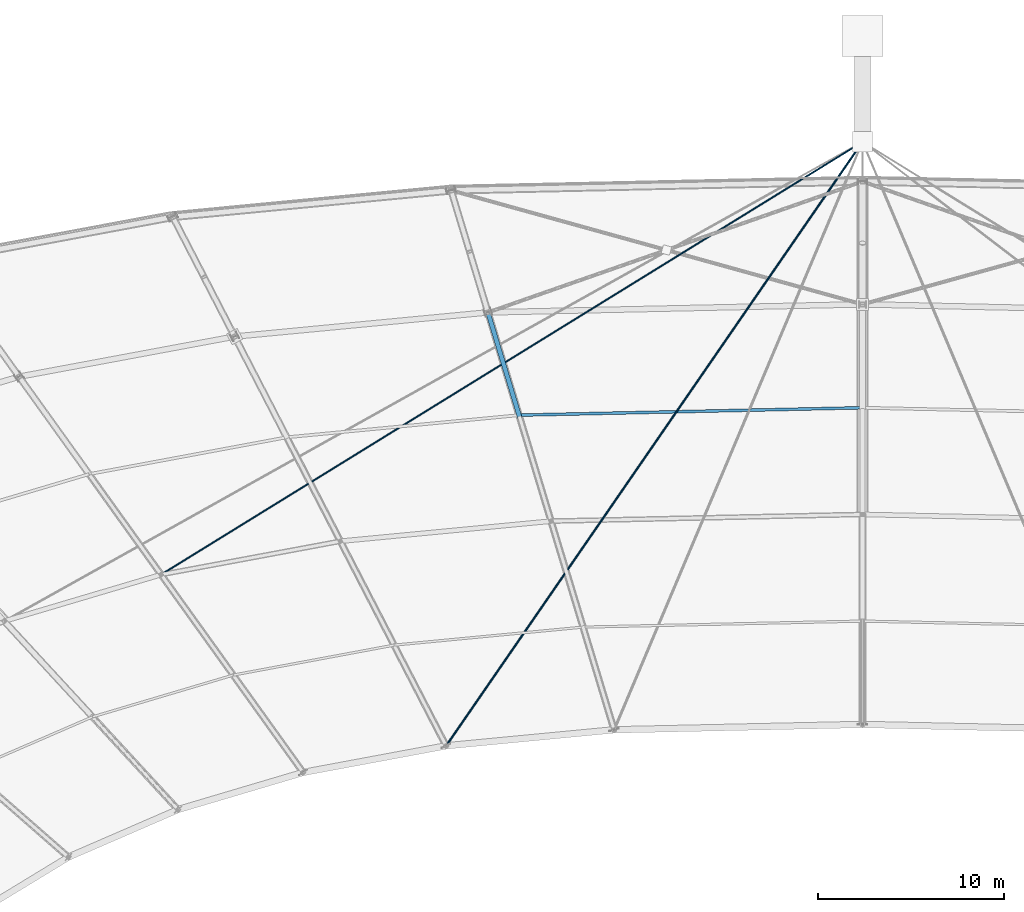
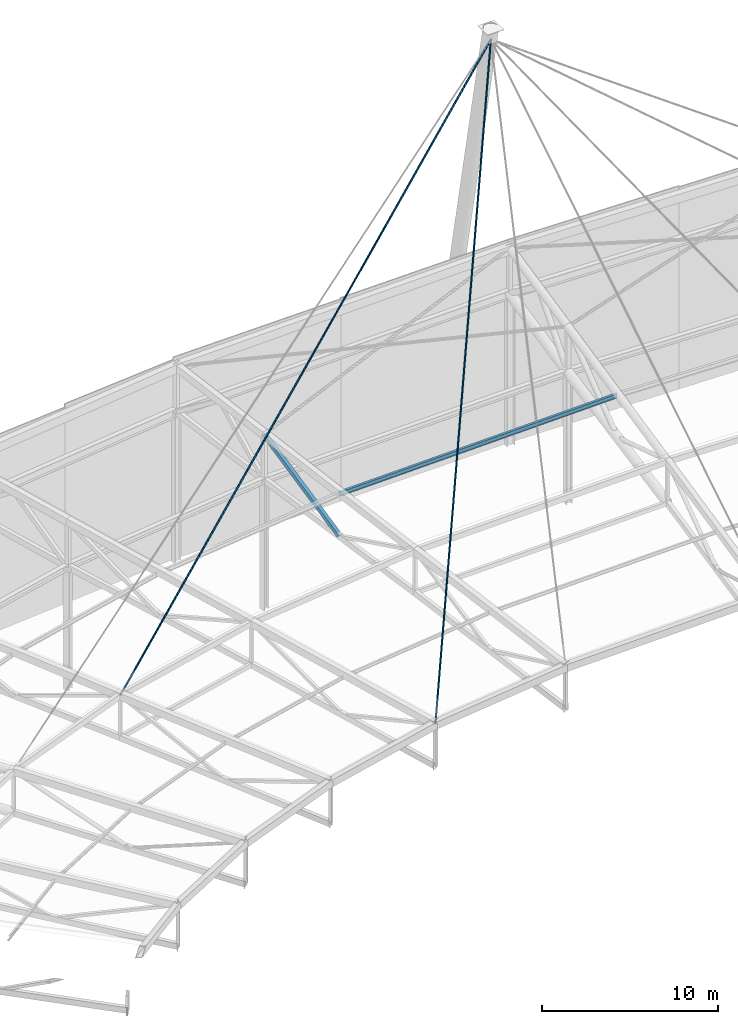
# One storey, part 92 of 143: 4 members.
"""IFC4 building model written with IfcOpenShell, lengths in metres."""

from ifc_helpers import new_model, si_unit, direction, frame, origin, origin_2d, place, context, subcontext, project, spatial, hollow_rectangle, circle, i_section, extrude, material, material_profile, profile_set, type_object, element, save


model = new_model("IFC4")

# Units and contexts
model_context = context("Model", 3, precision=1e-05, world=origin(), true_north=direction((0.0, 1.0)))
body_context = subcontext(model_context, "Body", "Model", "MODEL_VIEW")
ifc_project = project(units=[si_unit("LENGTHUNIT", "METRE"), si_unit("AREAUNIT", "SQUARE_METRE"), si_unit("VOLUMEUNIT", "CUBIC_METRE"), si_unit("PLANEANGLEUNIT", "RADIAN"), si_unit("MASSUNIT", "GRAM", prefix="KILO")], contexts=[model_context])

# Site, building, storey
site_placement = place(None, origin())
site = spatial("IfcSite", under=ifc_project, at=site_placement, CompositionType="ELEMENT")
building_placement = place(site_placement, origin())
building = spatial("IfcBuilding", under=site, at=building_placement, Name="Mphavela Belvedere Stadium", CompositionType="ELEMENT")
storey_placement = place(building_placement, frame((0.0, 0.0, 28.800048828125)))
storey = spatial("IfcBuildingStorey", under=building, at=storey_placement, Name="RF", CompositionType="ELEMENT", Elevation=28.800048828125)

# Members
ifc_material_1 = material(Name="Steel S355", Category="steel")
ifc_material_profile_1 = material_profile(ifc_material_1, circle(Radius=0.0576171875, at=origin_2d()), Name="CABLE D115")
ifc_profile_set_1 = profile_set([ifc_material_profile_1], Name="Steel S355")
member_type_1 = type_object("IfcMemberType", Name="MEM-CABLE-115", PredefinedType="USERDEFINED", material=ifc_profile_set_1)
member_1_placement = place(storey_placement, frame((115.0, 162.800048828125, 26.800048828125), z_axis=(-0.506759294396, -0.735086461833, -0.450380851251), x_axis=(0.82331583457, -0.567583506232, 0.0)))
element("IfcMember", 1, at=member_1_placement, inside=storey, type_object=member_type_1, Name="North mast fan stay cable MSC-06", ObjectType="STAY CABLE", PredefinedType="USERDEFINED", context=body_context, shape_type="SweptSolid", body=[
    extrude(circle(Radius=0.0576171875, at=origin_2d()), origin(), (0.0, 0.0, 1.0), 44.169921875),
])
ifc_material_2 = material(Name="Steel S355", Category="steel")
ifc_material_profile_2 = material_profile(ifc_material_2, circle(Radius=0.047607421875, at=origin_2d()), Name="CABLE D95")
ifc_profile_set_2 = profile_set([ifc_material_profile_2], Name="Steel S355")
member_type_2 = type_object("IfcMemberType", Name="MEM-CABLE-95", PredefinedType="USERDEFINED", material=ifc_profile_set_2)
member_2_placement = place(storey_placement, frame((115.0, 162.800048828125, 26.800048828125), z_axis=(-0.787802608109, -0.486040826353, -0.378327061912), x_axis=(0.525068092452, -0.85106022013, 0.0)))
element("IfcMember", 2, at=member_2_placement, inside=storey, type_object=member_type_2, Name="North mast fan stay cable MSC-07", ObjectType="STAY CABLE", PredefinedType="USERDEFINED", context=body_context, shape_type="SweptSolid", body=[
    extrude(circle(Radius=0.047607421875, at=origin_2d()), origin(), (0.0, 0.0, 1.0), 47.858642578125),
])
ifc_material_3 = material(Name="Steel S355", Category="steel")
ifc_material_profile_3 = material_profile(ifc_material_3, hollow_rectangle(XDim=0.25, YDim=0.25, WallThickness=0.012451171875, at=origin_2d()), Name="SHS 250x250x12.5")
ifc_profile_set_3 = profile_set([ifc_material_profile_3], Name="Steel S355")
member_type_3 = type_object("IfcMemberType", Name="MEM-POST-SHS250", PredefinedType="POST", material=ifc_profile_set_3)
member_3_placement = place(storey_placement, frame((94.8671875, 153.634033203125, 12.072265625), z_axis=(0.234286186581, -0.775330726907, -0.586491471968), x_axis=(0.95725113376, 0.289258131977, 0.0)))
element("IfcMember", 3, at=member_3_placement, inside=storey, type_object=member_type_3, Name="Radial roof truss RT-14 web diagonal D3", PredefinedType="POST", context=body_context, shape_type="SweptSolid", body=[
    extrude(hollow_rectangle(XDim=0.25, YDim=0.25, WallThickness=0.012451171875, at=origin_2d()), origin(), (0.0, 0.0, 1.0), 7.236083984375),
])
ifc_material_4 = material(Name="Steel S355", Category="steel")
ifc_material_profile_4 = material_profile(ifc_material_4, i_section(OverallWidth=0.14990234375, OverallDepth=0.300048828125, WebThickness=0.007080078125, FlangeThickness=0.0107421875, at=origin_2d()), Name="IPE 300")
ifc_profile_set_4 = profile_set([ifc_material_profile_4], Name="Steel S355")
member_type_4 = type_object("IfcMemberType", Name="MEM-PURLIN-IPE300", PredefinedType="PURLIN", material=ifc_profile_set_4)
member_4_placement = place(storey_placement, frame((115.0, 148.507568359375, 10.818603515625), z_axis=(-0.999740701421, -0.021534340945, -0.007402842805), x_axis=(0.021534931032, -0.999768096483, 0.0)))
element("IfcMember", 4, at=member_4_placement, inside=storey, type_object=member_type_4, Name="Saddle canopy steel purlin 13-2", PredefinedType="PURLIN", context=body_context, shape_type="SweptSolid", body=[
    extrude(i_section(OverallWidth=0.14990234375, OverallDepth=0.300048828125, WebThickness=0.007080078125, FlangeThickness=0.0107421875, at=origin_2d()), origin(), (0.0, 0.0, 1.0), 18.468505859375),
])

save(model, "model.ifc")
